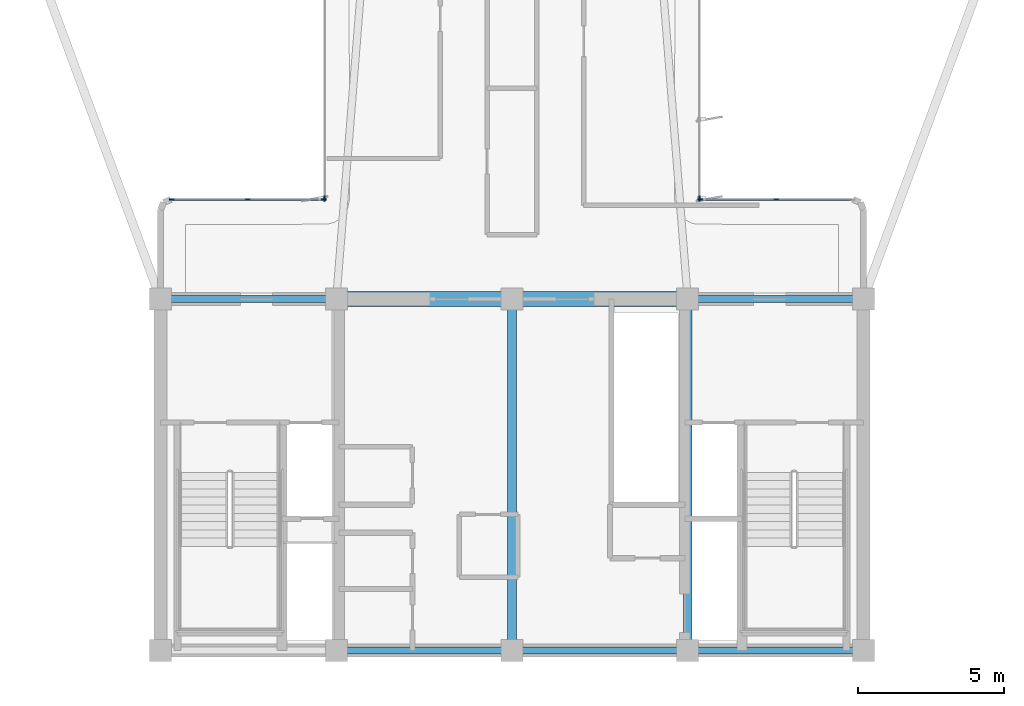
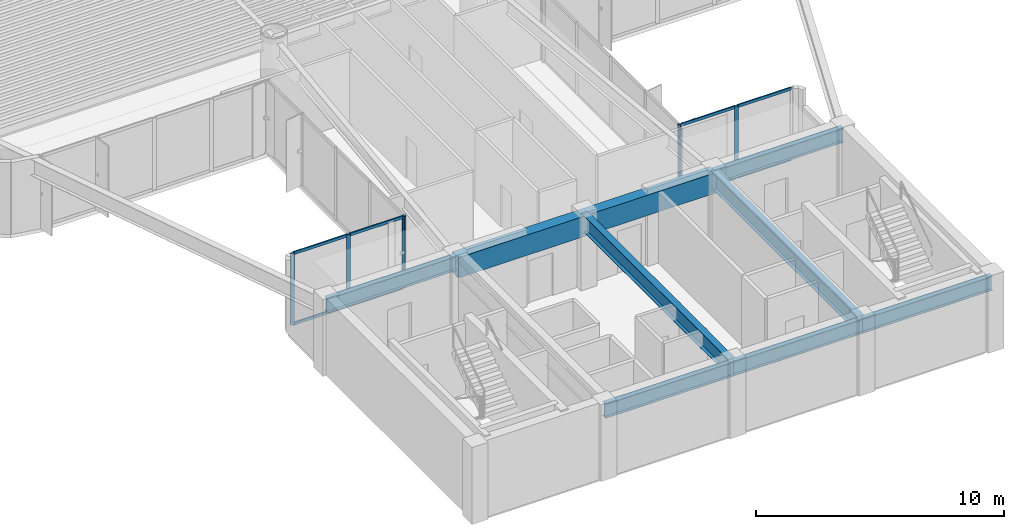
# One storey, part 2 of 13: 15 members, 8 beams, 4 elements without a shape of their own.
"""IFC4 building model written with IfcOpenShell, lengths in metres."""

from ifc_helpers import new_model, si_unit, direction, frame, origin, origin_2d, place, context, subcontext, project, spatial, rectangle, i_section, extrude, source, transform, mapped, material, layer, layer_set, material_profile, profile_set, type_object, element, aggregate, save


model = new_model("IFC4")

# Units and contexts
model_context = context("Model", 3, precision=1e-05, world=origin(), true_north=direction((0.0, 1.0)))
body_context = subcontext(model_context, "Body", "Model", "MODEL_VIEW")
ifc_project = project(units=[si_unit("LENGTHUNIT", "METRE"), si_unit("AREAUNIT", "SQUARE_METRE"), si_unit("VOLUMEUNIT", "CUBIC_METRE"), si_unit("PLANEANGLEUNIT", "RADIAN"), si_unit("MASSUNIT", "GRAM", prefix="KILO")], contexts=[model_context])

# Site, building, storey
site_placement = place(None, origin())
site = spatial("IfcSite", under=ifc_project, at=site_placement, CompositionType="ELEMENT")
building_placement = place(site_placement, origin())
building = spatial("IfcBuilding", under=site, at=building_placement, Name="Brelvock Crest Care Tower", CompositionType="ELEMENT")
storey_placement = place(building_placement, frame((0.0, 0.0, 190.43994140625)))
storey = spatial("IfcBuildingStorey", under=building, at=storey_placement, Name="L48", CompositionType="ELEMENT", Elevation=190.43994140625)

# Beams
ifc_material_1 = material(Name="Steel Grade 350", Category="steel")
ifc_material_profile_1 = material_profile(ifc_material_1, i_section(OverallWidth=0.25, OverallDepth=0.699951171875, WebThickness=0.011962890625, FlangeThickness=0.02001953125, at=origin_2d()), Name="700WB150")
ifc_profile_set_1 = profile_set([ifc_material_profile_1], Name="Steel Grade 350")
beam_type_1 = type_object("IfcBeamType", Name="BM-G4", PredefinedType="BEAM", material=ifc_profile_set_1)
shared_shape_1 = source(origin(), body_context, "Body", "SweptSolid", [
    extrude(i_section(OverallWidth=0.25, OverallDepth=0.699951171875, WebThickness=0.011962890625, FlangeThickness=0.02001953125, at=origin_2d()), origin(), (0.0, 0.0, 1.0), 6.0),
])
for number, where, z_axis, x_axis, name in (
    (1, (24.0, 18.0, 3.18017578125), (1.0, 0.0, 0.0), (0.0, 1.0, 0.0), "BM-COREN-L48-1"),
    (2, (30.0, 6.0, 3.18017578125), (1.0, 0.0, 0.0), (0.0, 1.0, 0.0), "BM-CORES-L48-2"),
    (3, (36.0, 6.0, 3.18017578125), (1.0, 0.0, 0.0), (0.0, 1.0, 0.0), "BM-CORES-L48-3"),
    (4, (42.0, 6.0, 3.18017578125), (1.0, 0.0, 0.0), (0.0, 1.0, 0.0), "BM-CORES-L48-4"),
    (5, (42.0, 18.0, 3.18017578125), (1.0, 0.0, 0.0), (0.0, 1.0, 0.0), "BM-COREN-L48-4"),
):
    element("IfcBeam", number, at=place(storey_placement, frame(where, z_axis=z_axis, x_axis=x_axis)), inside=storey, type_object=beam_type_1, Name=name, PredefinedType="BEAM", context=body_context, shape_type="MappedRepresentation", body=[
        mapped(shared_shape_1, transform((0.0, 0.0, 0.0), x_axis=(1.0, 0.0, 0.0), y_axis=(0.0, 1.0, 0.0), z_axis=(0.0, 0.0, 1.0), scale=1.0)),
    ])
ifc_material_profile_2 = material_profile(ifc_material_1, i_section(OverallWidth=0.300048828125, OverallDepth=0.800048828125, WebThickness=0.013916015625, FlangeThickness=0.02197265625, at=origin_2d()), Name="800WB192")
ifc_profile_set_2 = profile_set([ifc_material_profile_2], Name="Steel Grade 350")
beam_type_2 = type_object("IfcBeamType", Name="BM-G5", PredefinedType="BEAM", material=ifc_profile_set_2)
shared_shape_2 = source(origin(), body_context, "Body", "SweptSolid", [
    extrude(i_section(OverallWidth=0.300048828125, OverallDepth=0.800048828125, WebThickness=0.013916015625, FlangeThickness=0.02197265625, at=origin_2d()), origin(), (0.0, 0.0, 1.0), 12.0),
])
for number, where, z_axis, x_axis, name in (
    (6, (36.0, 6.0, 3.130126953125), (0.0, 1.0, 0.0), (-1.0, 0.0, 0.0), "BM-COREX-L48-3"),
    (7, (42.0, 6.0, 3.130126953125), (0.0, 1.0, 0.0), (-1.0, 0.0, 0.0), "BM-COREX-L48-4"),
):
    element("IfcBeam", number, at=place(storey_placement, frame(where, z_axis=z_axis, x_axis=x_axis)), inside=storey, type_object=beam_type_2, Name=name, PredefinedType="BEAM", context=body_context, shape_type="MappedRepresentation", body=[
        mapped(shared_shape_2, transform((0.0, 0.0, 0.0), x_axis=(1.0, 0.0, 0.0), y_axis=(0.0, 1.0, 0.0), z_axis=(0.0, 0.0, 1.0), scale=1.0)),
    ])
ifc_material_2 = material(Name="Concrete S65 (65 MPa)", Category="concrete")
ifc_material_profile_3 = material_profile(ifc_material_2, rectangle(XDim=0.5, YDim=1.0, at=origin_2d()), Name="RC500x1000")
ifc_profile_set_3 = profile_set([ifc_material_profile_3], Name="Concrete S65 (65 MPa)")
beam_type_3 = type_object("IfcBeamType", Name="BM-LN2", PredefinedType="LINTEL", material=ifc_profile_set_3)
shared_shape_3 = source(origin(), body_context, "Body", "SweptSolid", [
    extrude(rectangle(XDim=0.5, YDim=1.0, at=origin_2d()), origin(), (0.0, 0.0, 1.0), 12.0),
])
beam_placement = place(storey_placement, frame((30.0, 18.0, 3.030029296875), z_axis=(1.0, 0.0, 0.0), x_axis=(0.0, 1.0, 0.0)))
element("IfcBeam", 8, at=beam_placement, inside=storey, type_object=beam_type_3, Name="L48 Core Coupling Lintel Beam", PredefinedType="LINTEL", context=body_context, shape_type="MappedRepresentation", body=[
    mapped(shared_shape_3, transform((0.0, 0.0, 0.0), x_axis=(1.0, 0.0, 0.0), y_axis=(0.0, 1.0, 0.0), z_axis=(0.0, 0.0, 1.0), scale=1.0)),
])

# Curtain wall, members
ifc_material_3 = material(Name="Dark Glass Double Glazed Low-E", Category="glass")
ifc_layer = layer(ifc_material_3, 0.22509765625, Name="CWS-4")
ifc_layer_set = layer_set([ifc_layer], Name="Dark Glass Double Glazed Low-E")
curtain_wall_type = type_object("IfcCurtainWallType", Name="CWS-4", PredefinedType="NOTDEFINED", material=ifc_layer_set)
curtain_wall_1_placement = place(storey_placement, origin())
curtain_wall_1 = element("IfcCurtainWall", 9, at=curtain_wall_1_placement, inside=storey, type_object=curtain_wall_type, Name="L48 Curtain Wall E10", PredefinedType="NOTDEFINED")
ifc_material_4 = material(Name="Aluminium 6063-T6", Category="aluminium")
ifc_material_profile_4 = material_profile(ifc_material_4, rectangle(XDim=0.06005859375, YDim=0.179931640625, at=origin_2d()), Name="ALU60x180")
ifc_profile_set_4 = profile_set([ifc_material_profile_4], Name="Aluminium 6063-T6")
member_type_1 = type_object("IfcMemberType", Name="CWM-2", PredefinedType="MULLION", material=ifc_profile_set_4)
shared_shape_4 = source(origin(), body_context, "Body", "SweptSolid", [
    extrude(rectangle(XDim=0.06005859375, YDim=0.179931640625, at=origin_2d()), origin(), (0.0, 0.0, 1.0), 3.530029296875),
])
member_1_placement = place(storey_placement, frame((24.3798828125, 21.39990234375, 0.0), z_axis=(0.0, 0.0, 1.0), x_axis=(0.0, 1.0, 0.0)))
member_1 = element("IfcMember", 10, at=member_1_placement, type_object=member_type_1, Name="CW-4 mullion 1", PredefinedType="MULLION", context=body_context, shape_type="MappedRepresentation", body=[
    mapped(shared_shape_4, transform((0.0, 0.0, 0.0), x_axis=(1.0, 0.0, 0.0), y_axis=(0.0, 1.0, 0.0), z_axis=(0.0, 0.0, 1.0), scale=1.0)),
])
member_2_placement = place(storey_placement, frame((26.97509765625, 21.39990234375, 0.0), z_axis=(0.0, 0.0, 1.0), x_axis=(0.0, 1.0, 0.0)))
member_2 = element("IfcMember", 11, at=member_2_placement, type_object=member_type_1, Name="CW-4 mullion 2", PredefinedType="MULLION", context=body_context, shape_type="MappedRepresentation", body=[
    mapped(shared_shape_4, transform((0.0, 0.0, 0.0), x_axis=(1.0, 0.0, 0.0), y_axis=(0.0, 1.0, 0.0), z_axis=(0.0, 0.0, 1.0), scale=1.0)),
])
member_3_placement = place(storey_placement, frame((29.570068359375, 21.39990234375, 0.0), z_axis=(0.0, 0.0, 1.0), x_axis=(0.0, 1.0, 0.0)))
member_3 = element("IfcMember", 12, at=member_3_placement, type_object=member_type_1, Name="CW-4 mullion 3", PredefinedType="MULLION", context=body_context, shape_type="MappedRepresentation", body=[
    mapped(shared_shape_4, transform((0.0, 0.0, 0.0), x_axis=(1.0, 0.0, 0.0), y_axis=(0.0, 1.0, 0.0), z_axis=(0.0, 0.0, 1.0), scale=1.0)),
])

# Curtain wall, member
curtain_wall_2_placement = place(storey_placement, origin())
curtain_wall_2 = element("IfcCurtainWall", 13, at=curtain_wall_2_placement, inside=storey, type_object=curtain_wall_type, Name="L48 Curtain Wall E11", PredefinedType="NOTDEFINED")
member_4_placement = place(storey_placement, frame((29.60009765625, 21.429931640625, 0.0), z_axis=(0.0, 0.0, 1.0), x_axis=(-1.0, 0.0, 0.0)))
member_4 = element("IfcMember", 14, at=member_4_placement, type_object=member_type_1, Name="CW-4 mullion 1", PredefinedType="MULLION", context=body_context, shape_type="MappedRepresentation", body=[
    mapped(shared_shape_4, transform((0.0, 0.0, 0.0), x_axis=(1.0, 0.0, 0.0), y_axis=(0.0, 1.0, 0.0), z_axis=(0.0, 0.0, 1.0), scale=1.0)),
])
aggregate(curtain_wall_2, [member_4])

curtain_wall_3_placement = place(storey_placement, origin())
curtain_wall_3 = element("IfcCurtainWall", 15, at=curtain_wall_3_placement, inside=storey, type_object=curtain_wall_type, Name="L48 Curtain Wall E45", PredefinedType="NOTDEFINED")
member_5_placement = place(storey_placement, frame((42.39990234375, 21.429931640625, 0.0), z_axis=(0.0, 0.0, 1.0), x_axis=(1.0, 0.0, 0.0)))
member_5 = element("IfcMember", 16, at=member_5_placement, type_object=member_type_1, Name="CW-4 mullion 5", PredefinedType="MULLION", context=body_context, shape_type="MappedRepresentation", body=[
    mapped(shared_shape_4, transform((0.0, 0.0, 0.0), x_axis=(1.0, 0.0, 0.0), y_axis=(0.0, 1.0, 0.0), z_axis=(0.0, 0.0, 1.0), scale=1.0)),
])
aggregate(curtain_wall_3, [member_5])

# Curtain wall, members
curtain_wall_4_placement = place(storey_placement, origin())
curtain_wall_4 = element("IfcCurtainWall", 17, at=curtain_wall_4_placement, inside=storey, type_object=curtain_wall_type, Name="L48 Curtain Wall E46", PredefinedType="NOTDEFINED")
member_6_placement = place(storey_placement, frame((42.429931640625, 21.39990234375, 0.0), z_axis=(0.0, 0.0, 1.0), x_axis=(0.0, 1.0, 0.0)))
member_6 = element("IfcMember", 18, at=member_6_placement, type_object=member_type_1, Name="CW-4 mullion 1", PredefinedType="MULLION", context=body_context, shape_type="MappedRepresentation", body=[
    mapped(shared_shape_4, transform((0.0, 0.0, 0.0), x_axis=(1.0, 0.0, 0.0), y_axis=(0.0, 1.0, 0.0), z_axis=(0.0, 0.0, 1.0), scale=1.0)),
])
member_7_placement = place(storey_placement, frame((45.02490234375, 21.39990234375, 0.0), z_axis=(0.0, 0.0, 1.0), x_axis=(0.0, 1.0, 0.0)))
member_7 = element("IfcMember", 19, at=member_7_placement, type_object=member_type_1, Name="CW-4 mullion 2", PredefinedType="MULLION", context=body_context, shape_type="MappedRepresentation", body=[
    mapped(shared_shape_4, transform((0.0, 0.0, 0.0), x_axis=(1.0, 0.0, 0.0), y_axis=(0.0, 1.0, 0.0), z_axis=(0.0, 0.0, 1.0), scale=1.0)),
])

# Member
ifc_material_profile_5 = material_profile(ifc_material_4, rectangle(XDim=0.06005859375, YDim=0.139892578125, at=origin_2d()), Name="ALU60x140")
ifc_profile_set_5 = profile_set([ifc_material_profile_5], Name="Aluminium 6063-T6")
member_type_2 = type_object("IfcMemberType", Name="CWT-2", PredefinedType="USERDEFINED", material=ifc_profile_set_5)
shared_shape_5 = source(origin(), body_context, "Body", "SweptSolid", [
    extrude(rectangle(XDim=0.06005859375, YDim=0.139892578125, at=origin_2d()), origin(), (0.0, 0.0, 1.0), 2.53515625),
])
member_8_placement = place(storey_placement, frame((24.409912109375, 21.39990234375, 0.030029296875), z_axis=(1.0, 0.0, 0.0), x_axis=(0.0, 1.0, 0.0)))
member_8 = element("IfcMember", 20, at=member_8_placement, type_object=member_type_2, Name="CW-4 transom 1.1", ObjectType="TRANSOM", PredefinedType="USERDEFINED", context=body_context, shape_type="MappedRepresentation", body=[
    mapped(shared_shape_5, transform((0.0, 0.0, 0.0), x_axis=(1.0, 0.0, 0.0), y_axis=(0.0, 1.0, 0.0), z_axis=(0.0, 0.0, 1.0), scale=1.0)),
])

member_9_placement = place(storey_placement, frame((24.409912109375, 21.39990234375, 3.5), z_axis=(1.0, 0.0, 0.0), x_axis=(0.0, 1.0, 0.0)))
member_9 = element("IfcMember", 21, at=member_9_placement, type_object=member_type_2, Name="CW-4 transom 1.2", ObjectType="TRANSOM", PredefinedType="USERDEFINED", context=body_context, shape_type="MappedRepresentation", body=[
    mapped(shared_shape_5, transform((0.0, 0.0, 0.0), x_axis=(1.0, 0.0, 0.0), y_axis=(0.0, 1.0, 0.0), z_axis=(0.0, 0.0, 1.0), scale=1.0)),
])

member_10_placement = place(storey_placement, frame((27.0048828125, 21.39990234375, 0.030029296875), z_axis=(1.0, 0.0, 0.0), x_axis=(0.0, 1.0, 0.0)))
member_10 = element("IfcMember", 22, at=member_10_placement, type_object=member_type_2, Name="CW-4 transom 2.1", ObjectType="TRANSOM", PredefinedType="USERDEFINED", context=body_context, shape_type="MappedRepresentation", body=[
    mapped(shared_shape_5, transform((0.0, 0.0, 0.0), x_axis=(1.0, 0.0, 0.0), y_axis=(0.0, 1.0, 0.0), z_axis=(0.0, 0.0, 1.0), scale=1.0)),
])

member_11_placement = place(storey_placement, frame((27.0048828125, 21.39990234375, 3.5), z_axis=(1.0, 0.0, 0.0), x_axis=(0.0, 1.0, 0.0)))
member_11 = element("IfcMember", 23, at=member_11_placement, type_object=member_type_2, Name="CW-4 transom 2.2", ObjectType="TRANSOM", PredefinedType="USERDEFINED", context=body_context, shape_type="MappedRepresentation", body=[
    mapped(shared_shape_5, transform((0.0, 0.0, 0.0), x_axis=(1.0, 0.0, 0.0), y_axis=(0.0, 1.0, 0.0), z_axis=(0.0, 0.0, 1.0), scale=1.0)),
])

aggregate(curtain_wall_1, [member_1, member_2, member_3, member_8, member_9, member_10, member_11])

member_12_placement = place(storey_placement, frame((42.4599609375, 21.39990234375, 0.030029296875), z_axis=(1.0, 0.0, 0.0), x_axis=(0.0, 1.0, 0.0)))
member_12 = element("IfcMember", 24, at=member_12_placement, type_object=member_type_2, Name="CW-4 transom 1.1", ObjectType="TRANSOM", PredefinedType="USERDEFINED", context=body_context, shape_type="MappedRepresentation", body=[
    mapped(shared_shape_5, transform((0.0, 0.0, 0.0), x_axis=(1.0, 0.0, 0.0), y_axis=(0.0, 1.0, 0.0), z_axis=(0.0, 0.0, 1.0), scale=1.0)),
])

member_13_placement = place(storey_placement, frame((42.4599609375, 21.39990234375, 3.5), z_axis=(1.0, 0.0, 0.0), x_axis=(0.0, 1.0, 0.0)))
member_13 = element("IfcMember", 25, at=member_13_placement, type_object=member_type_2, Name="CW-4 transom 1.2", ObjectType="TRANSOM", PredefinedType="USERDEFINED", context=body_context, shape_type="MappedRepresentation", body=[
    mapped(shared_shape_5, transform((0.0, 0.0, 0.0), x_axis=(1.0, 0.0, 0.0), y_axis=(0.0, 1.0, 0.0), z_axis=(0.0, 0.0, 1.0), scale=1.0)),
])

member_14_placement = place(storey_placement, frame((45.054931640625, 21.39990234375, 0.030029296875), z_axis=(1.0, 0.0, 0.0), x_axis=(0.0, 1.0, 0.0)))
member_14 = element("IfcMember", 26, at=member_14_placement, type_object=member_type_2, Name="CW-4 transom 2.1", ObjectType="TRANSOM", PredefinedType="USERDEFINED", context=body_context, shape_type="MappedRepresentation", body=[
    mapped(shared_shape_5, transform((0.0, 0.0, 0.0), x_axis=(1.0, 0.0, 0.0), y_axis=(0.0, 1.0, 0.0), z_axis=(0.0, 0.0, 1.0), scale=1.0)),
])

member_15_placement = place(storey_placement, frame((45.054931640625, 21.39990234375, 3.5), z_axis=(1.0, 0.0, 0.0), x_axis=(0.0, 1.0, 0.0)))
member_15 = element("IfcMember", 27, at=member_15_placement, type_object=member_type_2, Name="CW-4 transom 2.2", ObjectType="TRANSOM", PredefinedType="USERDEFINED", context=body_context, shape_type="MappedRepresentation", body=[
    mapped(shared_shape_5, transform((0.0, 0.0, 0.0), x_axis=(1.0, 0.0, 0.0), y_axis=(0.0, 1.0, 0.0), z_axis=(0.0, 0.0, 1.0), scale=1.0)),
])

aggregate(curtain_wall_4, [member_6, member_7, member_12, member_13, member_14, member_15])

save(model, "model.ifc")
